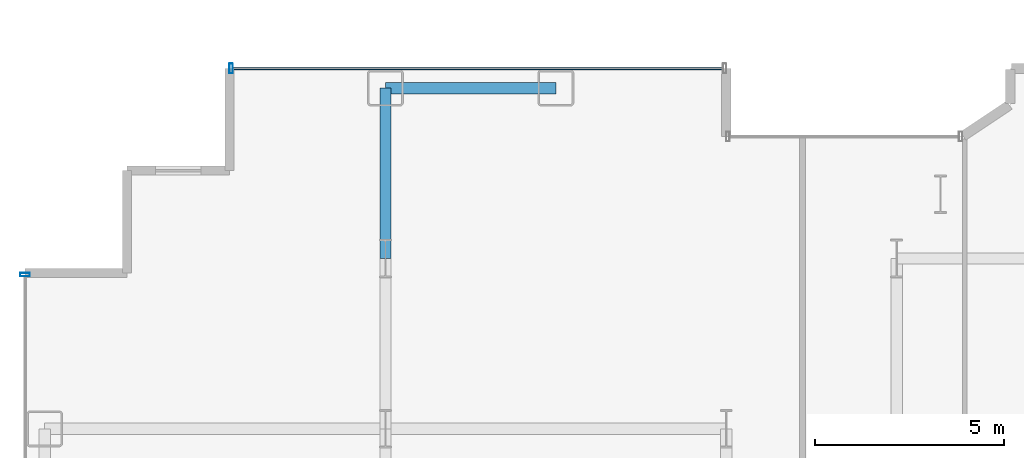
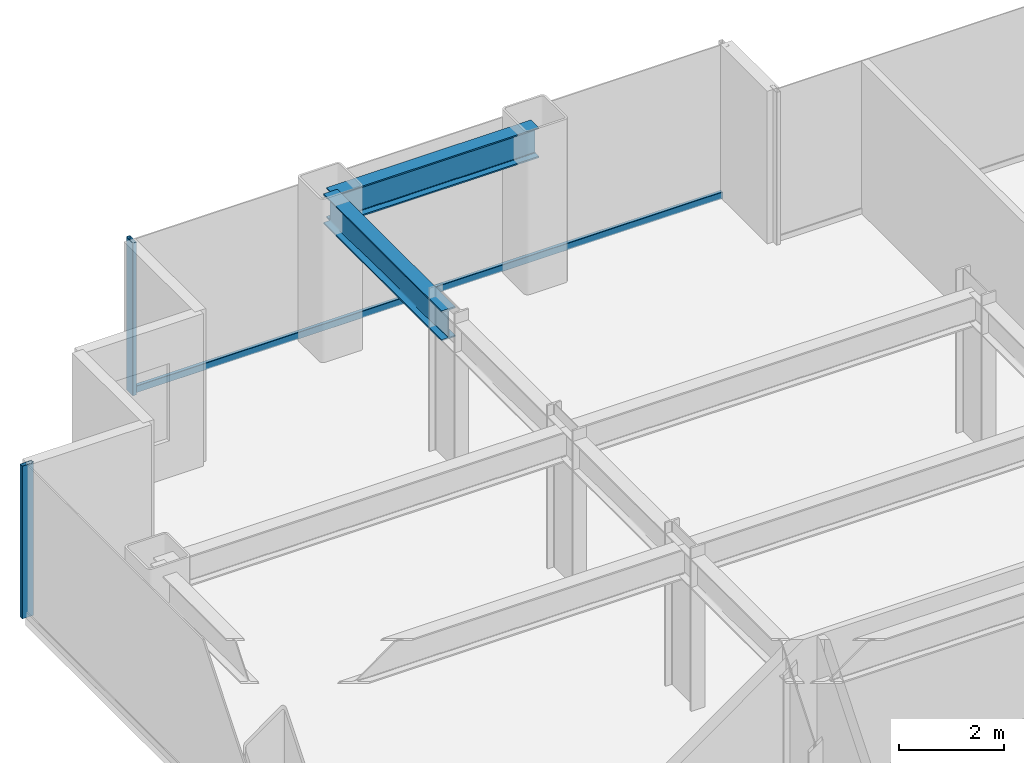
# One storey, part 9 of 26: 3 members, 2 beams, 2 elements without a shape of their own.
"""IFC4 building model written with IfcOpenShell, lengths in metres."""

from ifc_helpers import new_model, si_unit, direction, frame, origin, origin_2d, place, context, subcontext, project, spatial, hollow_rectangle, i_section, extrude, source, transform, mapped, material, layer, layer_set, material_profile, profile_set, type_object, element, aggregate, save


model = new_model("IFC4")

# Units and contexts
model_context = context("Model", 3, precision=1e-05, world=origin(), true_north=direction((0.0, 1.0)))
body_context = subcontext(model_context, "Body", "Model", "MODEL_VIEW")
ifc_project = project(units=[si_unit("LENGTHUNIT", "METRE"), si_unit("AREAUNIT", "SQUARE_METRE"), si_unit("VOLUMEUNIT", "CUBIC_METRE"), si_unit("PLANEANGLEUNIT", "RADIAN"), si_unit("MASSUNIT", "GRAM", prefix="KILO")], contexts=[model_context])

# Site, building, storey
site_placement = place(None, origin())
site = spatial("IfcSite", under=ifc_project, at=site_placement, CompositionType="ELEMENT")
building_placement = place(site_placement, origin())
building = spatial("IfcBuilding", under=site, at=building_placement, Name="Nefas-Gora Pilgrimage Tower", CompositionType="ELEMENT")
storey_placement = place(building_placement, frame((0.0, 0.0, 40.60009765625)))
storey = spatial("IfcBuildingStorey", under=building, at=storey_placement, Name="L08", CompositionType="ELEMENT", Elevation=40.60009765625)

# Beams
ifc_material_1 = material(Name="Steel S355", Category="steel")
ifc_material_profile_1 = material_profile(ifc_material_1, i_section(OverallWidth=0.300048828125, OverallDepth=0.699951171875, WebThickness=0.01708984375, FlangeThickness=0.031982421875, FilletRadius=0.027099609375, at=origin_2d()), Name="HEB 700")
ifc_profile_set_1 = profile_set([ifc_material_profile_1], Name="Steel S355")
beam_type_1 = type_object("IfcBeamType", Name="BM-SPN-HEB600", PredefinedType="SPANDREL", material=ifc_profile_set_1)
shared_shape_1 = source(origin(), body_context, "Body", "SweptSolid", [
    extrude(i_section(OverallWidth=0.300048828125, OverallDepth=0.699951171875, WebThickness=0.01708984375, FlangeThickness=0.031982421875, FilletRadius=0.027099609375, at=origin_2d()), origin(), (0.0, 0.0, 1.0), 4.5),
])
beam_1_placement = place(storey_placement, frame((-24.75, 22.5, 3.199951171875), z_axis=(1.0, 0.0, 0.0), x_axis=(0.0, 1.0, 0.0)))
element("IfcBeam", 1, at=beam_1_placement, inside=storey, type_object=beam_type_1, Name="L08 SP-01 beam", PredefinedType="SPANDREL", context=body_context, shape_type="MappedRepresentation", body=[
    mapped(shared_shape_1, transform((0.0, 0.0, 0.0), x_axis=(1.0, 0.0, 0.0), y_axis=(0.0, 1.0, 0.0), z_axis=(0.0, 0.0, 1.0), scale=1.0)),
])
ifc_material_profile_2 = material_profile(ifc_material_1, i_section(OverallWidth=0.300048828125, OverallDepth=0.699951171875, WebThickness=0.01708984375, FlangeThickness=0.031982421875, FilletRadius=0.027099609375, at=origin_2d()), Name="HEB 700")
ifc_profile_set_2 = profile_set([ifc_material_profile_2], Name="Steel S355")
beam_type_2 = type_object("IfcBeamType", Name="BM-GIR-HEB700", PredefinedType="BEAM", material=ifc_profile_set_2)
shared_shape_2 = source(origin(), body_context, "Body", "SweptSolid", [
    extrude(i_section(OverallWidth=0.300048828125, OverallDepth=0.699951171875, WebThickness=0.01708984375, FlangeThickness=0.031982421875, FilletRadius=0.027099609375, at=origin_2d()), origin(), (0.0, 0.0, 1.0), 4.5),
])
beam_2_placement = place(storey_placement, frame((-24.75, 18.0, 3.199951171875), z_axis=(0.0, 1.0, 0.0), x_axis=(-1.0, 0.0, 0.0)))
element("IfcBeam", 2, at=beam_2_placement, inside=storey, type_object=beam_type_2, Name="L08 G-02 beam", PredefinedType="BEAM", context=body_context, shape_type="MappedRepresentation", body=[
    mapped(shared_shape_2, transform((0.0, 0.0, 0.0), x_axis=(1.0, 0.0, 0.0), y_axis=(0.0, 1.0, 0.0), z_axis=(0.0, 0.0, 1.0), scale=1.0)),
])

# Curtain wall, members
ifc_material_2 = material(Name="Dark ceramic-fritted solar-control aluminium-glass curtain wall", Category="aluminium")
ifc_layer = layer(ifc_material_2, 0.219970703125)
ifc_layer_set = layer_set([ifc_layer], Name="Dark ceramic-fritted solar-control aluminium-glass curtain wall")
curtain_wall_type = type_object("IfcCurtainWallType", Name="CW-SYS-2", PredefinedType="NOTDEFINED", material=ifc_layer_set)
curtain_wall_1_placement = place(storey_placement, origin())
curtain_wall_1 = element("IfcCurtainWall", 3, at=curtain_wall_1_placement, inside=storey, type_object=curtain_wall_type, Name="L08 Unitised Curtain Wall CW2", PredefinedType="NOTDEFINED")
ifc_material_3 = material(Name="Anodised architectural aluminium", Category="aluminium")
ifc_material_profile_3 = material_profile(ifc_material_3, hollow_rectangle(XDim=0.080078125, YDim=0.159912109375, WallThickness=0.00439453125, InnerFilletRadius=0.00439453125, OuterFilletRadius=0.009033203125, at=origin_2d()), Name="ALU TRANSOM 80x160")
ifc_profile_set_3 = profile_set([ifc_material_profile_3], Name="Anodised architectural aluminium")
member_type_1 = type_object("IfcMemberType", Name="CWM-TRN-2", PredefinedType="USERDEFINED", material=ifc_profile_set_3)
shared_shape_3 = source(origin(), body_context, "Body", "SweptSolid", [
    extrude(hollow_rectangle(XDim=0.080078125, YDim=0.159912109375, WallThickness=0.00439453125, InnerFilletRadius=0.00439453125, OuterFilletRadius=0.009033203125, at=origin_2d()), origin(), (0.0, 0.0, 1.0), 12.93994140625),
])
member_1_placement = place(storey_placement, frame((-15.840087890625, 23.02001953125, 0.0498046875), z_axis=(-1.0, 0.0, 0.0), x_axis=(0.0, -1.0, 0.0)))
member_1 = element("IfcMember", 4, at=member_1_placement, type_object=member_type_1, Name="CW2 Spandrel Transom", ObjectType="TRANSOM", PredefinedType="USERDEFINED", context=body_context, shape_type="MappedRepresentation", body=[
    mapped(shared_shape_3, transform((0.0, 0.0, 0.0), x_axis=(1.0, 0.0, 0.0), y_axis=(0.0, 1.0, 0.0), z_axis=(0.0, 0.0, 1.0), scale=1.0)),
])
ifc_material_profile_4 = material_profile(ifc_material_3, hollow_rectangle(XDim=0.090087890625, YDim=0.260009765625, WallThickness=0.006103515625, InnerFilletRadius=0.006103515625, OuterFilletRadius=0.011962890625, at=origin_2d()), Name="ALU MULLION 90x260")
ifc_profile_set_4 = profile_set([ifc_material_profile_4], Name="Anodised architectural aluminium")
member_type_2 = type_object("IfcMemberType", Name="CWM-MUL-2", PredefinedType="MULLION", material=ifc_profile_set_4)
shared_shape_4 = source(origin(), body_context, "Body", "SweptSolid", [
    extrude(hollow_rectangle(XDim=0.090087890625, YDim=0.260009765625, WallThickness=0.006103515625, InnerFilletRadius=0.006103515625, OuterFilletRadius=0.011962890625, at=origin_2d()), origin(), (0.0, 0.0, 1.0), 3.5498046875),
])
member_2_placement = place(storey_placement, frame((-28.824951171875, 23.02001953125, 0.0), z_axis=(0.0, 0.0, 1.0), x_axis=(-1.0, 0.0, 0.0)))
member_2 = element("IfcMember", 5, at=member_2_placement, type_object=member_type_2, Name="CW2 Mullion 2", PredefinedType="MULLION", context=body_context, shape_type="MappedRepresentation", body=[
    mapped(shared_shape_4, transform((0.0, 0.0, 0.0), x_axis=(1.0, 0.0, 0.0), y_axis=(0.0, 1.0, 0.0), z_axis=(0.0, 0.0, 1.0), scale=1.0)),
])
aggregate(curtain_wall_1, [member_2, member_1])

# Curtain wall, member
curtain_wall_2_placement = place(storey_placement, origin())
curtain_wall_2 = element("IfcCurtainWall", 6, at=curtain_wall_2_placement, inside=storey, type_object=curtain_wall_type, Name="L08 Unitised Curtain Wall CW2", PredefinedType="NOTDEFINED")
member_3_placement = place(storey_placement, frame((-34.27001953125, 17.574951171875, 0.0), z_axis=(0.0, 0.0, 1.0), x_axis=(0.0, -1.0, 0.0)))
member_3 = element("IfcMember", 7, at=member_3_placement, type_object=member_type_2, Name="CW2 Mullion 1", PredefinedType="MULLION", context=body_context, shape_type="MappedRepresentation", body=[
    mapped(shared_shape_4, transform((0.0, 0.0, 0.0), x_axis=(1.0, 0.0, 0.0), y_axis=(0.0, 1.0, 0.0), z_axis=(0.0, 0.0, 1.0), scale=1.0)),
])
aggregate(curtain_wall_2, [member_3])

save(model, "model.ifc")
